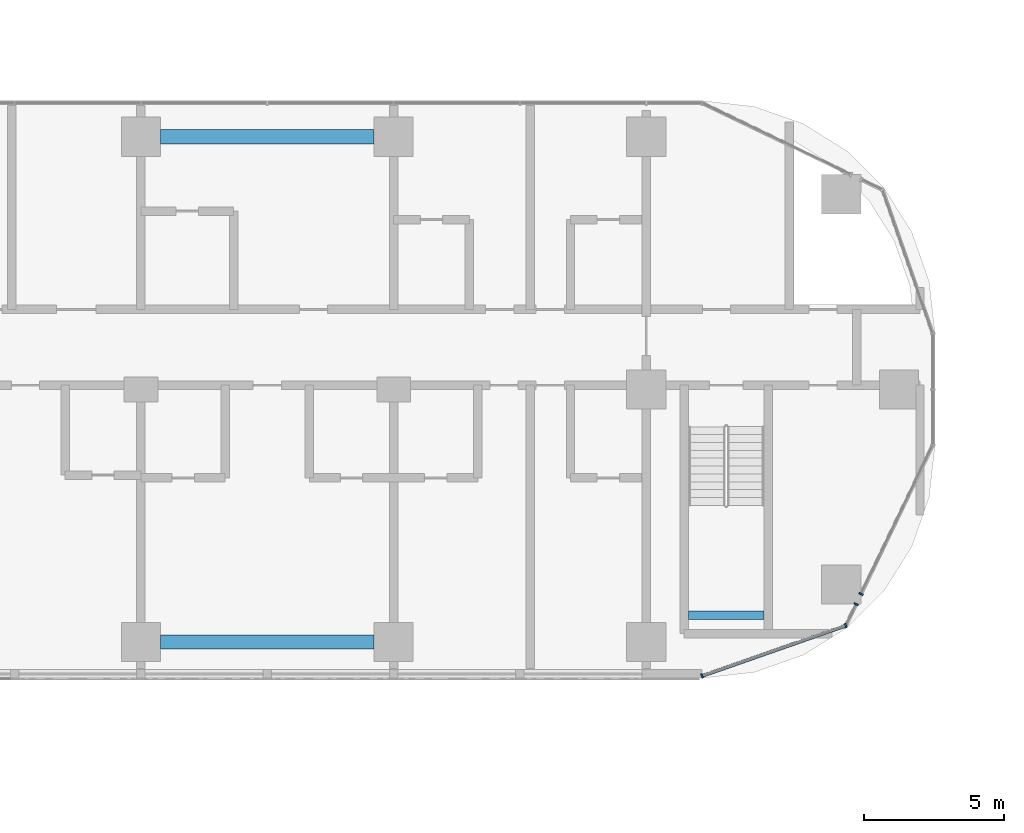
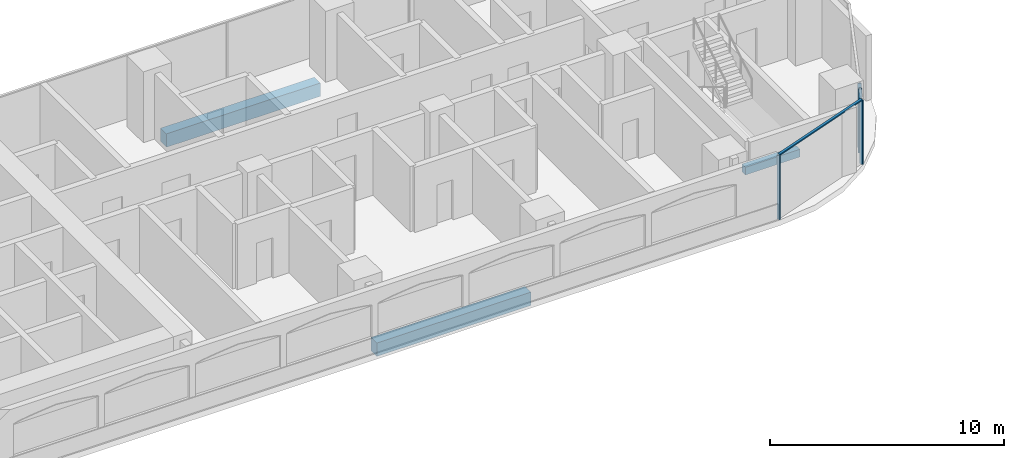
# One storey, part 3 of 36: 5 members, 3 beams, 2 elements without a shape of their own.
"""IFC4 building model written with IfcOpenShell, lengths in metres."""

import ifcopenshell
import ifcopenshell.guid

model = None  # the IFC model being written
_history = None  # IfcOwnerHistory: only IFC2X3 demands one
_inside = {}  # id of a spatial element -> (the spatial element, [elements in it])
_under = {}  # id of a project, library or spatial element -> (it, [spatial elements below it])
_declared = {}  # id of a project -> (the project, [libraries it declares])
_typed = {}  # id of a type object -> (the type object, [elements of that type])
_made_of = {}  # id of a material, layer set ... -> (it, [elements and type objects made of it])


def new_model(schema):
    """Start an empty IFC model of exactly this schema.

    Asked for "IFC4X3", IfcOpenShell would pick the latest addendum, in which some entities
    have other attributes; the version numbers below select the first issue.
    IFC2X3 requires an IfcOwnerHistory on every rooted entity: one is made here for all.
    """
    global model, _history
    if schema == "IFC4X3":
        model = ifcopenshell.file(schema_version=(4, 3, 0, 0))
    else:
        model = ifcopenshell.file(schema=schema)
    _inside.clear()
    _under.clear()
    _declared.clear()
    _typed.clear()
    _made_of.clear()
    _history = None
    if model.schema == "IFC2X3":
        org = make("IfcOrganization", Name="unknown")
        user = make(
            "IfcPersonAndOrganization",
            ThePerson=make("IfcPerson", FamilyName="unknown"),
            TheOrganization=org,
        )
        app = make(
            "IfcApplication",
            ApplicationDeveloper=org,
            Version="unknown",
            ApplicationFullName="unknown",
            ApplicationIdentifier="unknown",
        )
        _history = make(
            "IfcOwnerHistory",
            OwningUser=user,
            OwningApplication=app,
            ChangeAction="ADDED",
            CreationDate=0,
        )
    return model


def make(cls, **values):
    """One entity of the class cls with the attributes given. An attribute that is None is left unset."""
    return model.create_entity(
        cls, **{name: value for name, value in values.items() if value is not None}
    )


def rooted(cls, **values):
    """An entity with a GlobalId (a new one), such as an element, a storey or a relation."""
    return make(cls, GlobalId=ifcopenshell.guid.new(), OwnerHistory=_history, **values)


def si_unit(unit_type, name, prefix=None):
    """IfcSIUnit, for example si_unit("LENGTHUNIT", "METRE", prefix="MILLI")."""
    return make("IfcSIUnit", UnitType=unit_type, Prefix=prefix, Name=name)


def assignment(units):
    """IfcUnitAssignment: the units of a project."""
    return None if units is None else make("IfcUnitAssignment", Units=units)


def point(xyz):
    """IfcCartesianPoint."""
    return None if xyz is None else make("IfcCartesianPoint", Coordinates=xyz)


def direction(xyz):
    """IfcDirection."""
    return None if xyz is None else make("IfcDirection", DirectionRatios=xyz)


def frame(location, z_axis=None, x_axis=None):
    """IfcAxis2Placement3D, a coordinate frame: its origin and axes. An axis left out is left unset."""
    return make(
        "IfcAxis2Placement3D",
        Location=point(location),
        Axis=direction(z_axis),
        RefDirection=direction(x_axis),
    )


def frame_2d(location, x_axis=None):
    """IfcAxis2Placement2D, a coordinate frame in the plane: its origin and x axis."""
    return make(
        "IfcAxis2Placement2D", Location=point(location), RefDirection=direction(x_axis)
    )


def origin():
    """The frame at (0, 0, 0) with its axes left unset."""
    return frame((0.0, 0.0, 0.0))


def origin_2d():
    """The frame at (0, 0) in the plane with its x axis left unset."""
    return frame_2d((0.0, 0.0))


def place(relative_to, where):
    """IfcLocalPlacement: puts the frame where relative to a parent placement (None: the world)."""
    return make(
        "IfcLocalPlacement", PlacementRelTo=relative_to, RelativePlacement=where
    )


def context(
    kind, dimensions, precision=None, world=None, true_north=None, identifier=None
):
    """IfcGeometricRepresentationContext, for example the 3D "Model" context."""
    return make(
        "IfcGeometricRepresentationContext",
        ContextIdentifier=identifier,
        ContextType=kind,
        CoordinateSpaceDimension=dimensions,
        Precision=precision,
        WorldCoordinateSystem=world,
        TrueNorth=true_north,
    )


def subcontext(parent, identifier, kind, view, scale=None):
    """IfcGeometricRepresentationSubContext, for example "Body" below "Model"."""
    return make(
        "IfcGeometricRepresentationSubContext",
        ContextIdentifier=identifier,
        ContextType=kind,
        ParentContext=parent,
        TargetScale=scale,
        TargetView=view,
    )


def project(units=None, contexts=None):
    """IfcProject with its units and contexts."""
    return rooted(
        "IfcProject",
        Name="project",
        RepresentationContexts=contexts,
        UnitsInContext=assignment(units),
    )


def spatial(cls, under=None, at=None, **own):
    """A site, building, storey or space (cls), placed at a placement, below another one or the project."""
    s = rooted(cls, ObjectPlacement=at, **own)
    if under is not None:
        _under.setdefault(under.id(), (under, []))[1].append(s)
    return s


def profile(cls, at=None, kind="AREA", **sizes):
    """A parametric profile (cls). Its sizes go by their IFC names, for example OverallWidth=200.0."""
    return make(cls, ProfileType=kind, Position=at, **sizes)


def rectangle(**sizes):
    """IfcRectangleProfileDef."""
    return profile("IfcRectangleProfileDef", **sizes)


def extrude(swept, where, along, depth):
    """IfcExtrudedAreaSolid: the profile swept, set in the frame where, extruded along a direction by depth."""
    return make(
        "IfcExtrudedAreaSolid",
        SweptArea=swept,
        Position=where,
        ExtrudedDirection=direction(along),
        Depth=depth,
    )


def shape(context_of_items, identifier, shape_type, items):
    """IfcShapeRepresentation: the items that make up one representation, for example the "Body"."""
    return make(
        "IfcShapeRepresentation",
        ContextOfItems=context_of_items,
        RepresentationIdentifier=identifier,
        RepresentationType=shape_type,
        Items=items,
    )


def material(Name=None, Category=None):
    """IfcMaterial."""
    return make("IfcMaterial", Name=Name, Category=Category)


def material_profile(
    of_material, cross_section, Name=None, Category=None, Priority=None
):
    """IfcMaterialProfile: a cross section and its material."""
    return make(
        "IfcMaterialProfile",
        Name=Name,
        Material=of_material,
        Profile=cross_section,
        Priority=Priority,
        Category=Category,
    )


def profile_set(profiles, Name=None, composite=None):
    """IfcMaterialProfileSet."""
    return make(
        "IfcMaterialProfileSet",
        Name=Name,
        MaterialProfiles=profiles,
        CompositeProfile=composite,
    )


def made_of(thing, what):
    """Note that an element or type object is made of a material, layer set ...; save() writes the relation."""
    if what is not None:
        _made_of.setdefault(what.id(), (what, []))[1].append(thing)
    return thing


def type_object(cls, material=None, **own):
    """A type object (cls), such as IfcWallType, which elements share."""
    return made_of(rooted(cls, **own), material)


def element(
    cls,
    number,
    at=None,
    inside=None,
    cuts=None,
    type_object=None,
    material=None,
    context=None,
    identifier="Body",
    shape_type=None,
    held_by="IfcProductDefinitionShape",
    body=None,
    shapes=None,
    **own,
):
    """One element of the class cls, such as IfcWall. Its Tag is "e" and its number.

    at: its placement. inside: the storey or other place that contains it. cuts: it is an
    opening in that element (IfcRelVoidsElement). A single representation is given by context,
    identifier, shape_type and body (its items); several are given by shapes. held_by: the class
    of the entity that holds the representations. save() writes the other relations.
    """
    e = rooted(cls, Tag="e%d" % number, ObjectPlacement=at, **own)
    if body is not None:
        shapes = [shape(context, identifier, shape_type, body)]
    if shapes is not None:
        e.Representation = make(held_by, Representations=shapes)
    if inside is not None:
        _inside.setdefault(inside.id(), (inside, []))[1].append(e)
    if cuts is not None:
        rooted(
            "IfcRelVoidsElement", RelatingBuildingElement=cuts, RelatedOpeningElement=e
        )
    if type_object is not None:
        _typed.setdefault(type_object.id(), (type_object, []))[1].append(e)
    return made_of(e, material)


def aggregate(whole, parts):
    """IfcRelAggregates: a whole, such as a stair, and the parts it consists of."""
    return rooted("IfcRelAggregates", RelatingObject=whole, RelatedObjects=parts)


def save(model, path):
    """Write the relations noted so far, then the file.

    IfcRelAggregates (storeys below a building ...), IfcRelContainedInSpatialStructure (elements
    in a storey), IfcRelDefinesByType, IfcRelAssociatesMaterial and IfcRelDeclares: one each for
    every whole, place, type object, material and project.
    """
    for whole, parts in _under.values():
        aggregate(whole, parts)
    for where, things in _inside.values():
        rooted(
            "IfcRelContainedInSpatialStructure",
            RelatedElements=things,
            RelatingStructure=where,
        )
    for kind, things in _typed.values():
        rooted("IfcRelDefinesByType", RelatedObjects=things, RelatingType=kind)
    for what, things in _made_of.values():
        rooted("IfcRelAssociatesMaterial", RelatedObjects=things, RelatingMaterial=what)
    for by, libraries in _declared.values():
        rooted("IfcRelDeclares", RelatingContext=by, RelatedDefinitions=libraries)
    model.write(path)


model = new_model("IFC4")

# Units and contexts
model_context = context("Model", 3, precision=1e-05, world=origin(), true_north=direction((0.0, 1.0)))
body_context = subcontext(model_context, "Body", "Model", "MODEL_VIEW")
ifc_project = project(units=[si_unit("LENGTHUNIT", "METRE"), si_unit("AREAUNIT", "SQUARE_METRE"), si_unit("VOLUMEUNIT", "CUBIC_METRE"), si_unit("PLANEANGLEUNIT", "RADIAN"), si_unit("MASSUNIT", "GRAM", prefix="KILO")], contexts=[model_context])

# Site, building, storey
site_placement = place(None, origin())
site = spatial("IfcSite", under=ifc_project, at=site_placement, CompositionType="ELEMENT")
building_placement = place(site_placement, origin())
building = spatial("IfcBuilding", under=site, at=building_placement, Name="Ogive Portal Towers", CompositionType="ELEMENT")
storey_placement = place(building_placement, frame((0.0, 0.0, 48.300048828125)))
storey = spatial("IfcBuildingStorey", under=building, at=storey_placement, Name="L10", CompositionType="ELEMENT", Elevation=48.300048828125)

# Beam
ifc_material_1 = material(Name="Concrete C40/50", Category="concrete")
ifc_material_profile_1 = material_profile(ifc_material_1, rectangle(XDim=0.300048828125, YDim=0.39990234375, at=origin_2d()), Name="RC 300x400")
ifc_profile_set_1 = profile_set([ifc_material_profile_1], Name="Concrete C40/50")
beam_type_1 = type_object("IfcBeamType", Name="BEAM RC 300x400", PredefinedType="BEAM", material=ifc_profile_set_1)
beam_placement = place(storey_placement, frame((87.0, 22.449951171875, 1.449951171875), z_axis=(1.0, 0.0, 0.0), x_axis=(0.0, 1.0, 0.0)))
element("IfcBeam", 1, at=beam_placement, inside=storey, type_object=beam_type_1, Name="Landing beam L10", PredefinedType="BEAM", context=body_context, shape_type="SweptSolid", body=[
    extrude(rectangle(XDim=0.300048828125, YDim=0.39990234375, at=origin_2d()), origin(), (0.0, 0.0, 1.0), 2.699951171875),
])

# Curtain wall, members
ifc_material_2 = material(Name="Glass, clear low-iron insulated glazing", Category="glass")
curtain_wall_type = type_object("IfcCurtainWallType", Name="CW FRONT RIBBON 4500", PredefinedType="NOTDEFINED", material=ifc_material_2)
curtain_wall_1_placement = place(storey_placement, origin())
curtain_wall_1 = element("IfcCurtainWall", 2, at=curtain_wall_1_placement, inside=storey, type_object=curtain_wall_type, Name="A:L10:f06:cwa~0", PredefinedType="NOTDEFINED")
ifc_material_3 = material(Name="Aluminium 6063 anodised", Category="aluminium")
ifc_material_profile_2 = material_profile(ifc_material_3, rectangle(XDim=0.159912109375, YDim=0.06005859375, at=origin_2d()), Name="AL 60x160")
ifc_profile_set_2 = profile_set([ifc_material_profile_2], Name="Aluminium 6063 anodised")
member_type_1 = type_object("IfcMemberType", Name="CW MULLION 60x160", PredefinedType="MULLION", material=ifc_profile_set_2)
member_1_placement = place(storey_placement, frame((87.486328125, 20.294921875, 0.0), z_axis=(0.0, 0.0, 1.0), x_axis=(-0.33027906196, 0.943883330307, 0.0)))
member_1 = element("IfcMember", 3, at=member_1_placement, type_object=member_type_1, Name="mullion", PredefinedType="MULLION", context=body_context, shape_type="SweptSolid", body=[
    extrude(rectangle(XDim=0.159912109375, YDim=0.06005859375, at=origin_2d()), origin(), (0.0, 0.0, 1.0), 3.33984375),
])
member_2_placement = place(storey_placement, frame((92.60791015625, 22.087158203125, 0.0), z_axis=(0.0, 0.0, 1.0), x_axis=(-0.33027906196, 0.943883330307, 0.0)))
member_2 = element("IfcMember", 4, at=member_2_placement, type_object=member_type_1, Name="mullion", PredefinedType="MULLION", context=body_context, shape_type="SweptSolid", body=[
    extrude(rectangle(XDim=0.159912109375, YDim=0.06005859375, at=origin_2d()), origin(), (0.0, 0.0, 1.0), 3.33984375),
])
member_3_placement = place(storey_placement, frame((92.975341796875, 22.85009765625, 0.0), z_axis=(0.0, 0.0, 1.0), x_axis=(-0.900968867905, 0.433883739113, 0.0)))
member_3 = element("IfcMember", 5, at=member_3_placement, type_object=member_type_1, Name="mullion", PredefinedType="MULLION", context=body_context, shape_type="SweptSolid", body=[
    extrude(rectangle(XDim=0.159912109375, YDim=0.06005859375, at=origin_2d()), origin(), (0.0, 0.0, 1.0), 3.33984375),
])

# Curtain wall, member
curtain_wall_2_placement = place(storey_placement, origin())
curtain_wall_2 = element("IfcCurtainWall", 6, at=curtain_wall_2_placement, inside=storey, type_object=curtain_wall_type, Name="A:L10:f06:cwa~1", PredefinedType="NOTDEFINED")
member_4_placement = place(storey_placement, frame((93.14990234375, 23.212646484375, 0.0), z_axis=(0.0, 0.0, 1.0), x_axis=(-0.900968867905, 0.433883739113, 0.0)))
member_4 = element("IfcMember", 7, at=member_4_placement, type_object=member_type_1, Name="mullion", PredefinedType="MULLION", context=body_context, shape_type="SweptSolid", body=[
    extrude(rectangle(XDim=0.159912109375, YDim=0.06005859375, at=origin_2d()), origin(), (0.0, 0.0, 1.0), 3.33984375),
])
aggregate(curtain_wall_2, [member_4])

# Member
ifc_material_profile_3 = material_profile(ifc_material_3, rectangle(XDim=0.1201171875, YDim=0.06005859375, at=origin_2d()), Name="AL 120x60")
ifc_profile_set_3 = profile_set([ifc_material_profile_3], Name="Aluminium 6063 anodised")
member_type_2 = type_object("IfcMemberType", Name="CW TRANSOM 60x120", PredefinedType="USERDEFINED", material=ifc_profile_set_3)
member_5_placement = place(storey_placement, frame((87.486328125, 20.294921875, 3.369873046875), z_axis=(0.943876592884, 0.330298315777, 0.0), x_axis=(-0.330298315777, 0.943876592884, 0.0)))
member_5 = element("IfcMember", 8, at=member_5_placement, type_object=member_type_2, Name="transom", ObjectType="TRANSOM", PredefinedType="USERDEFINED", context=body_context, shape_type="SweptSolid", body=[
    extrude(rectangle(XDim=0.1201171875, YDim=0.06005859375, at=origin_2d()), origin(), (0.0, 0.0, 1.0), 5.426025390625),
])

aggregate(curtain_wall_1, [member_5, member_1, member_2, member_3])

# Beams
ifc_material_profile_4 = material_profile(ifc_material_1, rectangle(XDim=0.5, YDim=0.699951171875, at=origin_2d()), Name="RC 500x700")
ifc_profile_set_4 = profile_set([ifc_material_profile_4], Name="Concrete C40/50")
beam_type_2 = type_object("IfcBeamType", Name="SPANDREL BEAM RC 500x700", PredefinedType="BEAM", material=ifc_profile_set_4)
for number, where, z_axis, x_axis, name in (
    (9, (68.199951171875, 39.5, -0.650146484375), (1.0, 0.0, 0.0), (0.0, 1.0, 0.0), "Spandrel beam L10"),
    (10, (75.800048828125, 21.5, -0.650146484375), (-1.0, 0.0, 0.0), (0.0, -1.0, 0.0), "Spandrel beam L10"),
):
    element("IfcBeam", number, at=place(storey_placement, frame(where, z_axis=z_axis, x_axis=x_axis)), inside=storey, type_object=beam_type_2, Name=name, PredefinedType="BEAM", context=body_context, shape_type="SweptSolid", body=[
        extrude(rectangle(XDim=0.5, YDim=0.699951171875, at=origin_2d()), origin(), (0.0, 0.0, 1.0), 7.60009765625),
    ])

save(model, "model.ifc")
